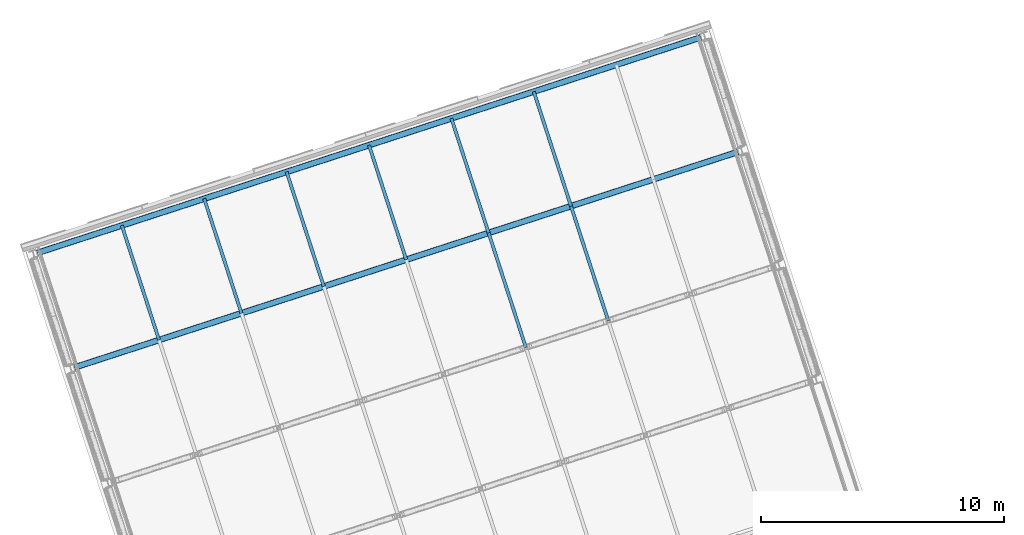
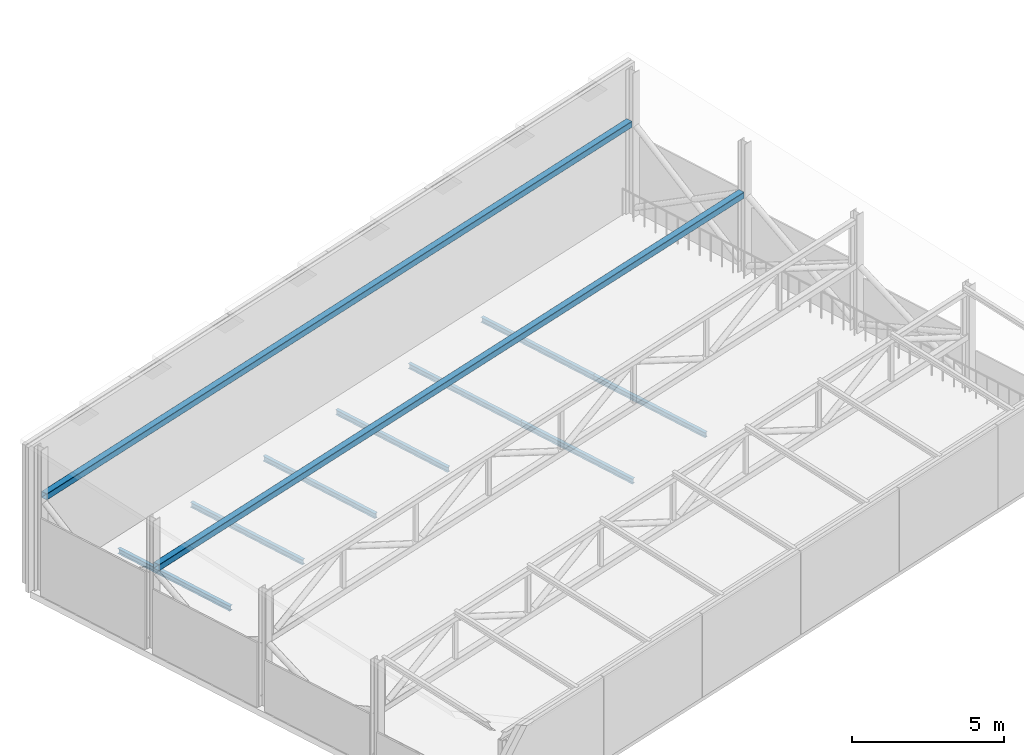
# One storey, part 10 of 49: 10 members.
"""IFC4 building model written with IfcOpenShell, lengths in metres."""

from ifc_helpers import new_model, si_unit, direction, frame, origin, origin_2d, place, context, subcontext, project, spatial, hollow_rectangle, i_section, extrude, material, material_profile, profile_set, type_object, element, save


model = new_model("IFC4")

# Units and contexts
model_context = context("Model", 3, precision=1e-05, world=origin(), true_north=direction((0.0, 1.0)))
body_context = subcontext(model_context, "Body", "Model", "MODEL_VIEW")
ifc_project = project(units=[si_unit("LENGTHUNIT", "METRE"), si_unit("AREAUNIT", "SQUARE_METRE"), si_unit("VOLUMEUNIT", "CUBIC_METRE"), si_unit("PLANEANGLEUNIT", "RADIAN"), si_unit("MASSUNIT", "GRAM", prefix="KILO")], contexts=[model_context])

# Site, building, storey
site_placement = place(None, origin())
site = spatial("IfcSite", under=ifc_project, at=site_placement, CompositionType="ELEMENT")
building_placement = place(site_placement, origin())
building = spatial("IfcBuilding", under=site, at=building_placement, Name="Tuart Plaza Theatre", CompositionType="ELEMENT")
storey_placement = place(building_placement, frame((0.0, 0.0, 29.5)))
storey = spatial("IfcBuildingStorey", under=building, at=storey_placement, Name="L07", CompositionType="ELEMENT", Elevation=29.5)

# Members
ifc_material_1 = material(Name="Steel Grade C350L0", Category="steel")
ifc_material_profile_1 = material_profile(ifc_material_1, hollow_rectangle(XDim=0.25, YDim=0.25, WallThickness=0.010009765625, InnerFilletRadius=0.010009765625, OuterFilletRadius=0.02001953125, at=origin_2d()), Name="250x250x10 SHS")
ifc_profile_set_1 = profile_set([ifc_material_profile_1], Name="Steel Grade C350L0")
member_type_1 = type_object("IfcMemberType", Name="MEMBER Chord 250x250x10 SHS", PredefinedType="CHORD", material=ifc_profile_set_1)
for number, where, z_axis, x_axis, name in (
    (1, (36.8447265625, 82.990966796875, 3.215576171875), (0.951055766824, 0.309019301002, 0.0), (-0.309019301002, 0.951055766824, 0.0), "CH23"),
    (2, (35.315185546875, 87.69873046875, 3.73583984375), (0.95105495418, 0.309021802029, 0.0), (-0.309021802029, 0.95105495418, 0.0), "CH25"),
):
    element("IfcMember", number, at=place(storey_placement, frame(where, z_axis=z_axis, x_axis=x_axis)), inside=storey, type_object=member_type_1, Name=name, PredefinedType="CHORD", context=body_context, shape_type="SweptSolid", body=[
        extrude(hollow_rectangle(XDim=0.25, YDim=0.25, WallThickness=0.010009765625, InnerFilletRadius=0.010009765625, OuterFilletRadius=0.02001953125, at=origin_2d()), origin(), (0.0, 0.0, 1.0), 28.68896484375),
    ])
ifc_material_2 = material(Name="Steel Grade 300", Category="steel")
ifc_material_profile_2 = material_profile(ifc_material_2, i_section(OverallWidth=0.133056640625, OverallDepth=0.202880859375, WebThickness=0.005859375, FlangeThickness=0.0078125, FilletRadius=0.0087890625, at=origin_2d()), Name="200UB25.4")
ifc_profile_set_2 = profile_set([ifc_material_profile_2], Name="Steel Grade 300")
member_type_2 = type_object("IfcMemberType", Name="MEMBER Purlin 200UB25.4", PredefinedType="PURLIN", material=ifc_profile_set_2)
for number, where, z_axis, x_axis, name in (
    (3, (40.32666015625, 84.122314453125, -0.3515625), (-0.308997967382, 0.951062698329, 0.0), (-0.951062698329, -0.308997967382, 0.0), "PU50"),
    (4, (43.71337890625, 85.222900390625, -0.3515625), (-0.308997967382, 0.951062698329, 0.0), (-0.951062698329, -0.308997967382, 0.0), "PU54"),
):
    element("IfcMember", number, at=place(storey_placement, frame(where, z_axis=z_axis, x_axis=x_axis)), inside=storey, type_object=member_type_2, Name=name, PredefinedType="PURLIN", context=body_context, shape_type="SweptSolid", body=[
        extrude(i_section(OverallWidth=0.133056640625, OverallDepth=0.202880859375, WebThickness=0.005859375, FlangeThickness=0.0078125, FilletRadius=0.0087890625, at=origin_2d()), origin(), (0.0, 0.0, 1.0), 4.949951171875),
    ])
member_1_placement = place(storey_placement, frame((47.100341796875, 86.3232421875, -0.3515625), z_axis=(-0.309042578481, 0.951048203135, 0.0), x_axis=(-0.951048203135, -0.309042578481, 0.0)))
element("IfcMember", 5, at=member_1_placement, inside=storey, type_object=member_type_2, Name="PU58", PredefinedType="PURLIN", context=body_context, shape_type="SweptSolid", body=[
    extrude(i_section(OverallWidth=0.133056640625, OverallDepth=0.202880859375, WebThickness=0.005859375, FlangeThickness=0.0078125, FilletRadius=0.0087890625, at=origin_2d()), origin(), (0.0, 0.0, 1.0), 4.9501953125),
])
member_2_placement = place(storey_placement, frame((50.487060546875, 87.423828125, -0.3515625), z_axis=(-0.309012462396, 0.951057988813, 0.0), x_axis=(-0.951057988813, -0.309012462396, 0.0)))
element("IfcMember", 6, at=member_2_placement, inside=storey, type_object=member_type_2, Name="PU62", PredefinedType="PURLIN", context=body_context, shape_type="SweptSolid", body=[
    extrude(i_section(OverallWidth=0.133056640625, OverallDepth=0.202880859375, WebThickness=0.005859375, FlangeThickness=0.0078125, FilletRadius=0.0087890625, at=origin_2d()), origin(), (0.0, 0.0, 1.0), 4.94970703125),
])
member_3_placement = place(storey_placement, frame((55.403564453125, 83.81640625, -0.3515625), z_axis=(-0.308997967382, 0.951062698329, 0.0), x_axis=(-0.951062698329, -0.308997967382, 0.0)))
element("IfcMember", 7, at=member_3_placement, inside=storey, type_object=member_type_2, Name="PU65", PredefinedType="PURLIN", context=body_context, shape_type="SweptSolid", body=[
    extrude(i_section(OverallWidth=0.133056640625, OverallDepth=0.202880859375, WebThickness=0.005859375, FlangeThickness=0.0078125, FilletRadius=0.0087890625, at=origin_2d()), origin(), (0.0, 0.0, 1.0), 4.949951171875),
])
member_4_placement = place(storey_placement, frame((53.8740234375, 88.524169921875, -0.3515625), z_axis=(-0.309042578481, 0.951048203135, 0.0), x_axis=(-0.951048203135, -0.309042578481, 0.0)))
element("IfcMember", 8, at=member_4_placement, inside=storey, type_object=member_type_2, Name="PU66", PredefinedType="PURLIN", context=body_context, shape_type="SweptSolid", body=[
    extrude(i_section(OverallWidth=0.133056640625, OverallDepth=0.202880859375, WebThickness=0.005859375, FlangeThickness=0.0078125, FilletRadius=0.0087890625, at=origin_2d()), origin(), (0.0, 0.0, 1.0), 4.9501953125),
])
for number, where, z_axis, x_axis, name in (
    (9, (58.79052734375, 84.9169921875, -0.3515625), (-0.309057075145, 0.95104349233, 0.0), (-0.95104349233, -0.309057075145, 0.0), "PU69"),
    (10, (57.2607421875, 89.62451171875, -0.3515625), (-0.308997967382, 0.951062698329, 0.0), (-0.951062698329, -0.308997967382, 0.0), "PU70"),
):
    element("IfcMember", number, at=place(storey_placement, frame(where, z_axis=z_axis, x_axis=x_axis)), inside=storey, type_object=member_type_2, Name=name, PredefinedType="PURLIN", context=body_context, shape_type="SweptSolid", body=[
        extrude(i_section(OverallWidth=0.133056640625, OverallDepth=0.202880859375, WebThickness=0.005859375, FlangeThickness=0.0078125, FilletRadius=0.0087890625, at=origin_2d()), origin(), (0.0, 0.0, 1.0), 4.949951171875),
    ])

save(model, "model.ifc")
